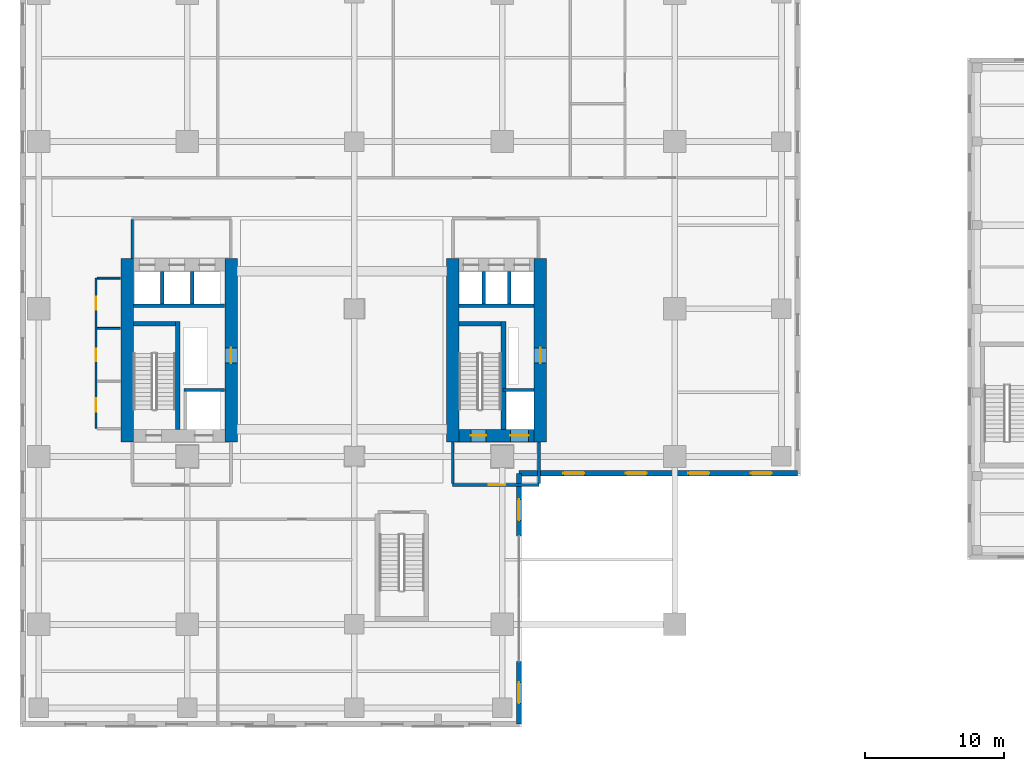
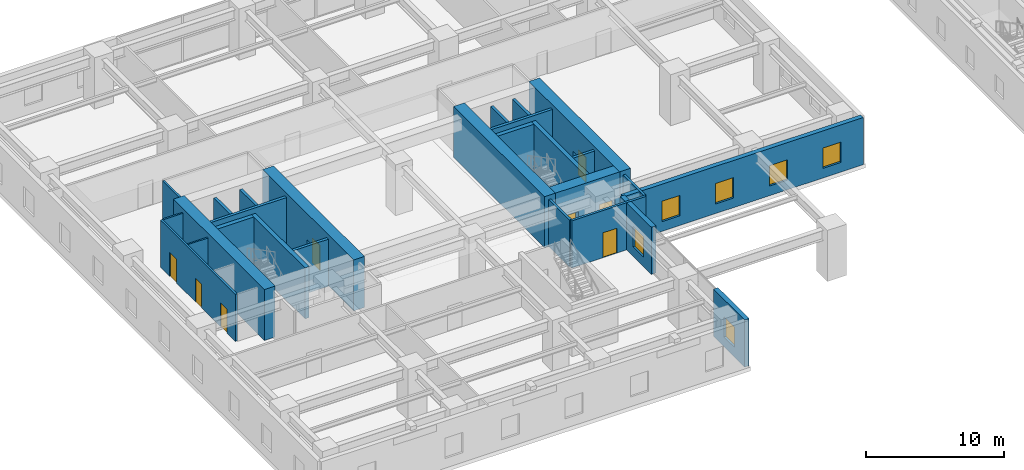
# One storey, part 19 of 28: 27 walls, 8 doors, 6 windows, 14 openings.
"""IFC4 building model written with IfcOpenShell, lengths in metres."""

from ifc_helpers import new_model, si_unit, direction, frame, frame_2d, origin, place, context, subcontext, project, spatial, rectangle, extrude, source, transform, mapped, material, layer, layer_set, type_object, element, fill, save


model = new_model("IFC4")

# Units and contexts
model_context = context("Model", 3, precision=1e-05, world=origin(), true_north=direction((0.0, 1.0)))
body_context = subcontext(model_context, "Body", "Model", "MODEL_VIEW")
ifc_project = project(units=[si_unit("LENGTHUNIT", "METRE"), si_unit("AREAUNIT", "SQUARE_METRE"), si_unit("VOLUMEUNIT", "CUBIC_METRE"), si_unit("PLANEANGLEUNIT", "RADIAN"), si_unit("MASSUNIT", "GRAM", prefix="KILO")], contexts=[model_context])

# Site, building, storey
site_placement = place(None, origin())
site = spatial("IfcSite", under=ifc_project, at=site_placement, CompositionType="ELEMENT")
building_placement = place(site_placement, origin())
building = spatial("IfcBuilding", under=site, at=building_placement, Name="Khoralis Quay Care Tower", CompositionType="ELEMENT")
storey_placement = place(building_placement, frame((0.0, 0.0, 9.0)))
storey = spatial("IfcBuildingStorey", under=building, at=storey_placement, Name="L02", CompositionType="ELEMENT", Elevation=9.0)

# Wall, opening, door
ifc_material_1 = material(Name="Gypsum plasterboard on acoustic metal stud")
ifc_layer_1 = layer(ifc_material_1, 0.199951171875)
ifc_layer_set_1 = layer_set([ifc_layer_1], Name="Gypsum plasterboard on acoustic metal stud")
wall_type_1 = type_object("IfcWallType", Name="WL-COMP-200", PredefinedType="PARTITIONING", material=ifc_layer_set_1)
wall_1_placement = place(storey_placement, frame((31.050048828125, 11.35009765625, 0.0), z_axis=(0.0, 0.0, 1.0), x_axis=(1.0, 0.0, 0.0)))
wall_1 = element("IfcWall", 1, at=wall_1_placement, inside=storey, type_object=wall_type_1, Name="L02 East Firefighting Lobby South Wall", PredefinedType="PARTITIONING", context=body_context, shape_type="SweptSolid", body=[
    extrude(rectangle(XDim=6.199951171875, YDim=0.199951171875, at=frame_2d((3.10009765625, 0.0))), origin(), (0.0, 0.0, 1.0), 4.159912109375),
])
opening_1_placement = place(wall_1_placement, frame((2.585693359375, 0.0, 0.0)))
opening_1 = element("IfcOpeningElement", 2, at=opening_1_placement, cuts=wall_1, Name="Opening FD1", PredefinedType="OPENING", context=body_context, shape_type="SweptSolid", body=[
    extrude(rectangle(XDim=1.199951171875, YDim=2.199951171875, at=frame_2d((0.60009765625, 1.10009765625))), frame((0.0, 0.10986328125, 0.0), z_axis=(0.0, -1.0, 0.0), x_axis=(1.0, 0.0, 0.0)), (0.0, 0.0, 1.0), 0.219970703125),
])
ifc_material_2 = material(Name="Fire-rated painted steel", Category="steel")
door_type_1 = type_object("IfcDoorType", Name="DR-FFL-1200X2200", OperationType="NOTDEFINED", PredefinedType="DOOR", material=ifc_material_2)
shared_shape_1 = source(origin(), body_context, "Body", "SweptSolid", [
    extrude(rectangle(XDim=1.199951171875, YDim=2.199951171875, at=frame_2d((0.60009765625, 1.10009765625))), frame((0.0, 0.02490234375, 0.0), z_axis=(0.0, -1.0, 0.0), x_axis=(1.0, 0.0, 0.0)), (0.0, 0.0, 1.0), 0.050048828125),
])
door_1_placement = place(opening_1_placement, origin())
door_1 = element("IfcDoor", 3, at=door_1_placement, inside=storey, type_object=door_type_1, Name="L02 East Firefighting Lobby Fire Door", OperationType="SINGLE_SWING_LEFT", OverallHeight=2.199951171875, OverallWidth=1.199951171875, PredefinedType="DOOR", context=body_context, shape_type="MappedRepresentation", body=[
    mapped(shared_shape_1, transform((0.0, 0.0, 0.0), scale=1.0)),
])
fill(opening_1, door_1)

# Walls
for number, where, z_axis, x_axis, name in (
    (4, (31.050048828125, 11.445068359375, 0.0), (0.0, 0.0, 1.0), (0.0, 1.0, 0.0), "L02 East Firefighting Lobby West Wall"),
    (5, (37.25, 11.445068359375, 0.0), (0.0, 0.0, 1.0), (0.0, 1.0, 0.0), "L02 East Firefighting Lobby East Wall"),
):
    element("IfcWall", number, at=place(storey_placement, frame(where, z_axis=z_axis, x_axis=x_axis)), inside=storey, type_object=wall_type_1, Name=name, PredefinedType="PARTITIONING", context=body_context, shape_type="SweptSolid", body=[
        extrude(rectangle(XDim=2.98486328125, YDim=0.199951171875, at=frame_2d((1.492431640625, 0.0))), origin(), (0.0, 0.0, 1.0), 4.159912109375),
    ])
ifc_material_3 = material(Name="Concrete C80/95", Category="concrete")
ifc_layer_2 = layer(ifc_material_3, 0.89990234375)
ifc_layer_set_2 = layer_set([ifc_layer_2], Name="Concrete C80/95")
wall_type_2 = type_object("IfcWallType", Name="WL-CORE-900", PredefinedType="SHEAR", material=ifc_layer_set_2)
wall_2_placement = place(storey_placement, frame((7.699951171875, 14.449951171875, 0.0), z_axis=(0.0, 0.0, 1.0), x_axis=(0.0, 1.0, 0.0)))
element("IfcWall", 6, at=wall_2_placement, inside=storey, type_object=wall_type_2, Name="L02 WCORE West Shear Wall", PredefinedType="SHEAR", context=body_context, shape_type="SweptSolid", body=[
    extrude(rectangle(XDim=13.150146484375, YDim=0.89990234375, at=frame_2d((6.5751953125, 0.0))), origin(), (0.0, 0.0, 1.0), 4.5),
])

# Wall, opening, door
wall_3_placement = place(storey_placement, frame((15.14990234375, 14.449951171875, 0.0), z_axis=(0.0, 0.0, 1.0), x_axis=(0.0, 1.0, 0.0)))
wall_3 = element("IfcWall", 7, at=wall_3_placement, inside=storey, type_object=wall_type_2, Name="L02 WCORE East Shear Wall", PredefinedType="SHEAR", context=body_context, shape_type="SweptSolid", body=[
    extrude(rectangle(XDim=13.150146484375, YDim=0.89990234375, at=frame_2d((6.5751953125, 0.0))), origin(), (0.0, 0.0, 1.0), 4.5),
])
opening_2_placement = place(wall_3_placement, frame((5.64990234375, 0.0, 0.0)))
opening_2 = element("IfcOpeningElement", 8, at=opening_2_placement, cuts=wall_3, Name="Opening SD1", PredefinedType="OPENING", context=body_context, shape_type="SweptSolid", body=[
    extrude(rectangle(XDim=1.10009765625, YDim=2.199951171875, at=frame_2d((0.550048828125, 1.10009765625))), frame((0.0, 0.4599609375, 0.0), z_axis=(0.0, -1.0, 0.0), x_axis=(1.0, 0.0, 0.0)), (0.0, 0.0, 1.0), 0.919921875),
])
door_type_2 = type_object("IfcDoorType", Name="DR-STAIR-1100X2200", OperationType="NOTDEFINED", PredefinedType="DOOR", material=ifc_material_2)
shared_shape_2 = source(origin(), body_context, "Body", "SweptSolid", [
    extrude(rectangle(XDim=1.10009765625, YDim=2.199951171875, at=frame_2d((0.550048828125, 1.10009765625))), frame((0.0, 0.02490234375, 0.0), z_axis=(0.0, -1.0, 0.0), x_axis=(1.0, 0.0, 0.0)), (0.0, 0.0, 1.0), 0.050048828125),
])
door_2_placement = place(opening_2_placement, origin())
door_2 = element("IfcDoor", 9, at=door_2_placement, inside=storey, type_object=door_type_2, Name="L02 West MEP Riser Door", OperationType="SINGLE_SWING_RIGHT", OverallHeight=2.199951171875, OverallWidth=1.10009765625, PredefinedType="DOOR", context=body_context, shape_type="MappedRepresentation", body=[
    mapped(shared_shape_2, transform((0.0, 0.0, 0.0), scale=1.0)),
])
fill(opening_2, door_2)

# Wall
wall_4_placement = place(storey_placement, frame((31.070068359375, 14.449951171875, 0.0), z_axis=(0.0, 0.0, 1.0), x_axis=(0.0, 1.0, 0.0)))
element("IfcWall", 10, at=wall_4_placement, inside=storey, type_object=wall_type_2, Name="L02 ECORE West Shear Wall", PredefinedType="SHEAR", context=body_context, shape_type="SweptSolid", body=[
    extrude(rectangle(XDim=13.150146484375, YDim=0.89990234375, at=frame_2d((6.5751953125, 0.0))), origin(), (0.0, 0.0, 1.0), 4.5),
])

# Wall, opening, door
wall_5_placement = place(storey_placement, frame((37.35009765625, 14.449951171875, 0.0), z_axis=(0.0, 0.0, 1.0), x_axis=(0.0, 1.0, 0.0)))
wall_5 = element("IfcWall", 11, at=wall_5_placement, inside=storey, type_object=wall_type_2, Name="L02 ECORE East Shear Wall", PredefinedType="SHEAR", context=body_context, shape_type="SweptSolid", body=[
    extrude(rectangle(XDim=13.150146484375, YDim=0.89990234375, at=frame_2d((6.5751953125, 0.0))), origin(), (0.0, 0.0, 1.0), 4.5),
])
opening_3_placement = place(wall_5_placement, frame((5.64990234375, 0.0, 0.0)))
opening_3 = element("IfcOpeningElement", 12, at=opening_3_placement, cuts=wall_5, Name="Opening SD1", PredefinedType="OPENING", context=body_context, shape_type="SweptSolid", body=[
    extrude(rectangle(XDim=1.10009765625, YDim=2.199951171875, at=frame_2d((0.550048828125, 1.10009765625))), frame((0.0, 0.4599609375, 0.0), z_axis=(0.0, -1.0, 0.0), x_axis=(1.0, 0.0, 0.0)), (0.0, 0.0, 1.0), 0.919921875),
])
door_3_placement = place(opening_3_placement, frame((1.10009765625, 0.0, 0.0), z_axis=(0.0, 0.0, 1.0), x_axis=(-1.0, 0.0, 0.0)))
door_3 = element("IfcDoor", 13, at=door_3_placement, inside=storey, type_object=door_type_2, Name="L02 East MEP Riser Door", OperationType="SINGLE_SWING_LEFT", OverallHeight=2.199951171875, OverallWidth=1.10009765625, PredefinedType="DOOR", context=body_context, shape_type="MappedRepresentation", body=[
    mapped(shared_shape_2, transform((0.0, 0.0, 0.0), scale=1.0)),
])
fill(opening_3, door_3)

# Wall, openings, doors
wall_6_placement = place(storey_placement, frame((31.52001953125, 14.89990234375, 0.0), z_axis=(0.0, 0.0, 1.0), x_axis=(1.0, 0.0, 0.0)))
wall_6 = element("IfcWall", 14, at=wall_6_placement, inside=storey, type_object=wall_type_2, Name="L02 ECORE South Shear Wall", PredefinedType="SHEAR", context=body_context, shape_type="SweptSolid", body=[
    extrude(rectangle(XDim=5.3798828125, YDim=0.89990234375, at=frame_2d((2.68994140625, 0.0))), origin(), (0.0, 0.0, 1.0), 4.5),
])
opening_4_placement = place(wall_6_placement, frame((0.830078125, 0.0, 0.0)))
opening_4 = element("IfcOpeningElement", 15, at=opening_4_placement, cuts=wall_6, Name="Opening SD1", PredefinedType="OPENING", context=body_context, shape_type="SweptSolid", body=[
    extrude(rectangle(XDim=1.10009765625, YDim=2.199951171875, at=frame_2d((0.550048828125, 1.10009765625))), frame((0.0, 0.4599609375, 0.0), z_axis=(0.0, -1.0, 0.0), x_axis=(1.0, 0.0, 0.0)), (0.0, 0.0, 1.0), 0.919921875),
])
opening_5_placement = place(wall_6_placement, frame((3.679931640625, 0.0, 0.0)))
opening_5 = element("IfcOpeningElement", 16, at=opening_5_placement, cuts=wall_6, Name="Opening LD2", PredefinedType="OPENING", context=body_context, shape_type="SweptSolid", body=[
    extrude(rectangle(XDim=1.300048828125, YDim=2.199951171875, at=frame_2d((0.64990234375, 1.10009765625))), frame((0.0, 0.4599609375, 0.0), z_axis=(0.0, -1.0, 0.0), x_axis=(1.0, 0.0, 0.0)), (0.0, 0.0, 1.0), 0.919921875),
])
door_4_placement = place(opening_4_placement, origin())
door_4 = element("IfcDoor", 17, at=door_4_placement, inside=storey, type_object=door_type_2, Name="L02 Stair ST-T2 Fire Door", OperationType="SINGLE_SWING_LEFT", OverallHeight=2.199951171875, OverallWidth=1.10009765625, PredefinedType="DOOR", context=body_context, shape_type="MappedRepresentation", body=[
    mapped(shared_shape_2, transform((0.0, 0.0, 0.0), scale=1.0)),
])
fill(opening_4, door_4)
ifc_material_4 = material(Name="Brushed stainless steel", Category="steel")
door_type_3 = type_object("IfcDoorType", Name="DR-LIFT-1300X2200", OperationType="SLIDING_TO_RIGHT", PredefinedType="DOOR", material=ifc_material_4)
shared_shape_3 = source(origin(), body_context, "Body", "SweptSolid", [
    extrude(rectangle(XDim=1.300048828125, YDim=2.199951171875, at=frame_2d((0.64990234375, 1.10009765625))), frame((0.0, 0.02490234375, 0.0), z_axis=(0.0, -1.0, 0.0), x_axis=(1.0, 0.0, 0.0)), (0.0, 0.0, 1.0), 0.050048828125),
])
door_5_placement = place(opening_5_placement, origin())
door_5 = element("IfcDoor", 18, at=door_5_placement, inside=storey, type_object=door_type_3, Name="L02 Firefighting Lift FFL-2 Landing Door", OperationType="SLIDING_TO_RIGHT", OverallHeight=2.199951171875, OverallWidth=1.300048828125, PredefinedType="DOOR", context=body_context, shape_type="MappedRepresentation", body=[
    mapped(shared_shape_3, transform((0.0, 0.0, 0.0), scale=1.0)),
])
fill(opening_5, door_5)

# Wall
ifc_layer_3 = layer(ifc_material_1, 0.1650390625)
ifc_layer_set_3 = layer_set([ifc_layer_3], Name="Gypsum plasterboard on acoustic metal stud")
wall_type_3 = type_object("IfcWallType", Name="WL-CORR-165", PredefinedType="PARTITIONING", material=ifc_layer_set_3)
wall_7_placement = place(storey_placement, frame((8.050048828125, 27.6201171875, 0.0), z_axis=(0.0, 0.0, 1.0), x_axis=(0.0, 1.0, 0.0)))
element("IfcWall", 19, at=wall_7_placement, inside=storey, type_object=wall_type_3, Name="L02 West Lift Lobby West Wall", PredefinedType="PARTITIONING", context=body_context, shape_type="SweptSolid", body=[
    extrude(rectangle(XDim=2.802490234375, YDim=0.1650390625, at=frame_2d((1.4013671875, 0.0))), origin(), (0.0, 0.0, 1.0), 4.159912109375),
])

# Wall, openings, doors
wall_8_placement = place(storey_placement, frame((5.449951171875, 15.39990234375, 0.0), z_axis=(0.0, 0.0, 1.0), x_axis=(0.0, 1.0, 0.0)))
wall_8 = element("IfcWall", 20, at=wall_8_placement, inside=storey, type_object=wall_type_3, Name="L02 West Core Service Flank Wall", PredefinedType="PARTITIONING", context=body_context, shape_type="SweptSolid", body=[
    extrude(rectangle(XDim=10.800048828125, YDim=0.1650390625, at=frame_2d((5.39990234375, 0.0))), origin(), (0.0, 0.0, 1.0), 4.159912109375),
])
opening_6_placement = place(wall_8_placement, frame((1.22509765625, 0.0, 0.0)))
opening_6 = element("IfcOpeningElement", 21, at=opening_6_placement, cuts=wall_8, Name="Opening ID1", PredefinedType="OPENING", context=body_context, shape_type="SweptSolid", body=[
    extrude(rectangle(XDim=0.949951171875, YDim=2.10009765625, at=frame_2d((0.47509765625, 1.050048828125))), frame((0.0, 0.092529296875, 0.0), z_axis=(0.0, -1.0, 0.0), x_axis=(1.0, 0.0, 0.0)), (0.0, 0.0, 1.0), 0.18505859375),
])
opening_7_placement = place(wall_8_placement, frame((4.85009765625, 0.0, 0.0)))
opening_7 = element("IfcOpeningElement", 22, at=opening_7_placement, cuts=wall_8, Name="Opening WD1", PredefinedType="OPENING", context=body_context, shape_type="SweptSolid", body=[
    extrude(rectangle(XDim=0.89990234375, YDim=2.10009765625, at=frame_2d((0.449951171875, 1.050048828125))), frame((0.0, 0.092529296875, 0.0), z_axis=(0.0, -1.0, 0.0), x_axis=(1.0, 0.0, 0.0)), (0.0, 0.0, 1.0), 0.18505859375),
])
opening_8_placement = place(wall_8_placement, frame((8.52490234375, 0.0, 0.0)))
opening_8 = element("IfcOpeningElement", 23, at=opening_8_placement, cuts=wall_8, Name="Opening ID1", PredefinedType="OPENING", context=body_context, shape_type="SweptSolid", body=[
    extrude(rectangle(XDim=0.949951171875, YDim=2.10009765625, at=frame_2d((0.47509765625, 1.050048828125))), frame((0.0, 0.092529296875, 0.0), z_axis=(0.0, -1.0, 0.0), x_axis=(1.0, 0.0, 0.0)), (0.0, 0.0, 1.0), 0.18505859375),
])
ifc_material_5 = material(Name="Acoustic hardwood timber", Category="wood")
door_type_4 = type_object("IfcDoorType", Name="DR-BATH-900X2100", OperationType="NOTDEFINED", PredefinedType="DOOR", material=ifc_material_5)
shared_shape_4 = source(origin(), body_context, "Body", "SweptSolid", [
    extrude(rectangle(XDim=0.89990234375, YDim=2.10009765625, at=frame_2d((0.449951171875, 1.050048828125))), frame((0.0, 0.02490234375, 0.0), z_axis=(0.0, -1.0, 0.0), x_axis=(1.0, 0.0, 0.0)), (0.0, 0.0, 1.0), 0.050048828125),
])
door_6_placement = place(opening_7_placement, frame((0.89990234375, 0.0, 0.0), z_axis=(0.0, 0.0, 1.0), x_axis=(-1.0, 0.0, 0.0)))
door_6 = element("IfcDoor", 24, at=door_6_placement, inside=storey, type_object=door_type_4, Name="L02 Public Accessible WC Door", OperationType="SINGLE_SWING_RIGHT", OverallHeight=2.10009765625, OverallWidth=0.89990234375, PredefinedType="DOOR", context=body_context, shape_type="MappedRepresentation", body=[
    mapped(shared_shape_4, transform((0.0, 0.0, 0.0), scale=1.0)),
])
fill(opening_7, door_6)
door_type_5 = type_object("IfcDoorType", Name="DR-ROOM-950X2100", OperationType="NOTDEFINED", PredefinedType="DOOR", material=ifc_material_5)
shared_shape_5 = source(origin(), body_context, "Body", "SweptSolid", [
    extrude(rectangle(XDim=0.949951171875, YDim=2.10009765625, at=frame_2d((0.47509765625, 1.050048828125))), frame((0.0, 0.02490234375, 0.0), z_axis=(0.0, -1.0, 0.0), x_axis=(1.0, 0.0, 0.0)), (0.0, 0.0, 1.0), 0.050048828125),
])
door_7_placement = place(opening_6_placement, frame((0.949951171875, 0.0, 0.0), z_axis=(0.0, 0.0, 1.0), x_axis=(-1.0, 0.0, 0.0)))
door_7 = element("IfcDoor", 25, at=door_7_placement, inside=storey, type_object=door_type_5, Name="L02 Clean Utility Store Door", OperationType="SINGLE_SWING_LEFT", OverallHeight=2.10009765625, OverallWidth=0.949951171875, PredefinedType="DOOR", context=body_context, shape_type="MappedRepresentation", body=[
    mapped(shared_shape_5, transform((0.0, 0.0, 0.0), scale=1.0)),
])
fill(opening_6, door_7)
door_8_placement = place(opening_8_placement, frame((0.949951171875, 0.0, 0.0), z_axis=(0.0, 0.0, 1.0), x_axis=(-1.0, 0.0, 0.0)))
door_8 = element("IfcDoor", 26, at=door_8_placement, inside=storey, type_object=door_type_5, Name="L02 Electrical Switchboard Room Door", OperationType="SINGLE_SWING_LEFT", OverallHeight=2.10009765625, OverallWidth=0.949951171875, PredefinedType="DOOR", context=body_context, shape_type="MappedRepresentation", body=[
    mapped(shared_shape_5, transform((0.0, 0.0, 0.0), scale=1.0)),
])
fill(opening_8, door_8)

# Wall, opening, window
ifc_material_6 = material(Name="Precast concrete C45/55", Category="concrete")
ifc_layer_4 = layer(ifc_material_6, 0.3798828125)
ifc_layer_set_4 = layer_set([ifc_layer_4], Name="Precast concrete C45/55")
wall_type_4 = type_object("IfcWallType", Name="WL-EXT-POD-380", PredefinedType="SOLIDWALL", material=ifc_layer_set_4)
wall_9_placement = place(storey_placement, frame((35.81005859375, -5.81005859375, 0.0), z_axis=(0.0, 0.0, 1.0), x_axis=(0.0, 1.0, 0.0)))
wall_9 = element("IfcWall", 27, at=wall_9_placement, inside=storey, type_object=wall_type_4, Name="L02 External Facade Wall WL-POD-L02-E1A", PredefinedType="SOLIDWALL", context=body_context, shape_type="SweptSolid", body=[
    extrude(rectangle(XDim=4.5, YDim=0.3798828125, at=frame_2d((2.25, 0.0))), origin(), (0.0, 0.0, 1.0), 4.159912109375),
])
opening_9_placement = place(wall_9_placement, frame((1.5, 0.0, 0.85009765625)))
opening_9 = element("IfcOpeningElement", 28, at=opening_9_placement, cuts=wall_9, Name="Opening W3", PredefinedType="OPENING", context=body_context, shape_type="SweptSolid", body=[
    extrude(rectangle(XDim=1.5, YDim=1.800048828125, at=frame_2d((0.75, 0.89990234375))), frame((0.0, 0.199951171875, 0.0), z_axis=(0.0, -1.0, 0.0), x_axis=(1.0, 0.0, 0.0)), (0.0, 0.0, 1.0), 0.39990234375),
])
ifc_material_7 = material(Name="Low-E solar-control double glazing", Category="glass")
window_type = type_object("IfcWindowType", Name="WN-CLIN-1500X1800", PartitioningType="SINGLE_PANEL", PredefinedType="WINDOW", material=ifc_material_7)
shared_shape_6 = source(origin(), body_context, "Body", "SweptSolid", [
    extrude(rectangle(XDim=1.5, YDim=1.800048828125, at=frame_2d((0.75, 0.89990234375))), frame((0.0, 0.030029296875, 0.0), z_axis=(0.0, -1.0, 0.0), x_axis=(1.0, 0.0, 0.0)), (0.0, 0.0, 1.0), 0.06005859375),
])
window_1_placement = place(opening_9_placement, origin())
window_1 = element("IfcWindow", 29, at=window_1_placement, inside=storey, type_object=window_type, Name="WN-POD-L02-1A Facade Window 01", OverallHeight=1.800048828125, OverallWidth=1.5, PartitioningType="SINGLE_PANEL", PredefinedType="WINDOW", context=body_context, shape_type="MappedRepresentation", body=[
    mapped(shared_shape_6, transform((0.0, 0.0, 0.0), scale=1.0)),
])
fill(opening_9, window_1)

wall_10_placement = place(storey_placement, frame((35.81005859375, 7.68994140625, 0.0), z_axis=(0.0, 0.0, 1.0), x_axis=(0.0, 1.0, 0.0)))
wall_10 = element("IfcWall", 30, at=wall_10_placement, inside=storey, type_object=wall_type_4, Name="L02 External Facade Wall WL-POD-L02-E1B", PredefinedType="SOLIDWALL", context=body_context, shape_type="SweptSolid", body=[
    extrude(rectangle(XDim=4.5, YDim=0.3798828125, at=frame_2d((2.25, 0.0))), origin(), (0.0, 0.0, 1.0), 4.159912109375),
])
opening_10_placement = place(wall_10_placement, frame((1.1298828125, 0.0, 0.85009765625)))
opening_10 = element("IfcOpeningElement", 31, at=opening_10_placement, cuts=wall_10, Name="Opening W3", PredefinedType="OPENING", context=body_context, shape_type="SweptSolid", body=[
    extrude(rectangle(XDim=1.5, YDim=1.800048828125, at=frame_2d((0.75, 0.89990234375))), frame((0.0, 0.199951171875, 0.0), z_axis=(0.0, -1.0, 0.0), x_axis=(1.0, 0.0, 0.0)), (0.0, 0.0, 1.0), 0.39990234375),
])
window_2_placement = place(opening_10_placement, origin())
window_2 = element("IfcWindow", 32, at=window_2_placement, inside=storey, type_object=window_type, Name="WN-POD-L02-1B Facade Window 01", OverallHeight=1.800048828125, OverallWidth=1.5, PartitioningType="SINGLE_PANEL", PredefinedType="WINDOW", context=body_context, shape_type="MappedRepresentation", body=[
    mapped(shared_shape_6, transform((0.0, 0.0, 0.0), scale=1.0)),
])
fill(opening_10, window_2)

# Wall, openings, windows
wall_11_placement = place(storey_placement, frame((35.81005859375, 12.18994140625, 0.0), z_axis=(0.0, 0.0, 1.0), x_axis=(1.0, 0.0, 0.0)))
wall_11 = element("IfcWall", 33, at=wall_11_placement, inside=storey, type_object=wall_type_4, Name="L02 External Facade Wall WL-POD-L02-E2", PredefinedType="SOLIDWALL", context=body_context, shape_type="SweptSolid", body=[
    extrude(rectangle(XDim=20.0, YDim=0.3798828125, at=frame_2d((10.0, 0.0))), origin(), (0.0, 0.0, 1.0), 4.159912109375),
])
opening_11_placement = place(wall_11_placement, frame((3.1923828125, 0.0, 0.85009765625)))
opening_11 = element("IfcOpeningElement", 34, at=opening_11_placement, cuts=wall_11, Name="Opening W3", PredefinedType="OPENING", context=body_context, shape_type="SweptSolid", body=[
    extrude(rectangle(XDim=1.5, YDim=1.800048828125, at=frame_2d((0.75, 0.89990234375))), frame((0.0, 0.199951171875, 0.0), z_axis=(0.0, -1.0, 0.0), x_axis=(1.0, 0.0, 0.0)), (0.0, 0.0, 1.0), 0.39990234375),
])
opening_12_placement = place(wall_11_placement, frame((7.677490234375, 0.0, 0.85009765625)))
opening_12 = element("IfcOpeningElement", 35, at=opening_12_placement, cuts=wall_11, Name="Opening W3", PredefinedType="OPENING", context=body_context, shape_type="SweptSolid", body=[
    extrude(rectangle(XDim=1.5, YDim=1.800048828125, at=frame_2d((0.75, 0.89990234375))), frame((0.0, 0.199951171875, 0.0), z_axis=(0.0, -1.0, 0.0), x_axis=(1.0, 0.0, 0.0)), (0.0, 0.0, 1.0), 0.39990234375),
])
opening_13_placement = place(wall_11_placement, frame((12.16259765625, 0.0, 0.85009765625)))
opening_13 = element("IfcOpeningElement", 36, at=opening_13_placement, cuts=wall_11, Name="Opening W3", PredefinedType="OPENING", context=body_context, shape_type="SweptSolid", body=[
    extrude(rectangle(XDim=1.5, YDim=1.800048828125, at=frame_2d((0.75, 0.89990234375))), frame((0.0, 0.199951171875, 0.0), z_axis=(0.0, -1.0, 0.0), x_axis=(1.0, 0.0, 0.0)), (0.0, 0.0, 1.0), 0.39990234375),
])
opening_14_placement = place(wall_11_placement, frame((16.6474609375, 0.0, 0.85009765625)))
opening_14 = element("IfcOpeningElement", 37, at=opening_14_placement, cuts=wall_11, Name="Opening W3", PredefinedType="OPENING", context=body_context, shape_type="SweptSolid", body=[
    extrude(rectangle(XDim=1.5, YDim=1.800048828125, at=frame_2d((0.75, 0.89990234375))), frame((0.0, 0.199951171875, 0.0), z_axis=(0.0, -1.0, 0.0), x_axis=(1.0, 0.0, 0.0)), (0.0, 0.0, 1.0), 0.39990234375),
])
window_3_placement = place(opening_11_placement, origin())
window_3 = element("IfcWindow", 38, at=window_3_placement, inside=storey, type_object=window_type, Name="WN-POD-L02-E2 Facade Window 01", OverallHeight=1.800048828125, OverallWidth=1.5, PartitioningType="SINGLE_PANEL", PredefinedType="WINDOW", context=body_context, shape_type="MappedRepresentation", body=[
    mapped(shared_shape_6, transform((0.0, 0.0, 0.0), scale=1.0)),
])
fill(opening_11, window_3)
window_4_placement = place(opening_12_placement, origin())
window_4 = element("IfcWindow", 39, at=window_4_placement, inside=storey, type_object=window_type, Name="WN-POD-L02-E2 Facade Window 02", OverallHeight=1.800048828125, OverallWidth=1.5, PartitioningType="SINGLE_PANEL", PredefinedType="WINDOW", context=body_context, shape_type="MappedRepresentation", body=[
    mapped(shared_shape_6, transform((0.0, 0.0, 0.0), scale=1.0)),
])
fill(opening_12, window_4)
window_5_placement = place(opening_13_placement, origin())
window_5 = element("IfcWindow", 40, at=window_5_placement, inside=storey, type_object=window_type, Name="WN-POD-L02-E2 Facade Window 03", OverallHeight=1.800048828125, OverallWidth=1.5, PartitioningType="SINGLE_PANEL", PredefinedType="WINDOW", context=body_context, shape_type="MappedRepresentation", body=[
    mapped(shared_shape_6, transform((0.0, 0.0, 0.0), scale=1.0)),
])
fill(opening_13, window_5)
window_6_placement = place(opening_14_placement, origin())
window_6 = element("IfcWindow", 41, at=window_6_placement, inside=storey, type_object=window_type, Name="WN-POD-L02-E2 Facade Window 04", OverallHeight=1.800048828125, OverallWidth=1.5, PartitioningType="SINGLE_PANEL", PredefinedType="WINDOW", context=body_context, shape_type="MappedRepresentation", body=[
    mapped(shared_shape_6, transform((0.0, 0.0, 0.0), scale=1.0)),
])
fill(opening_14, window_6)

# Walls
ifc_material_8 = material(Name="Concrete C40/50", Category="concrete")
ifc_layer_5 = layer(ifc_material_8, 0.35009765625)
ifc_layer_set_5 = layer_set([ifc_layer_5], Name="Concrete C40/50")
wall_type_5 = type_object("IfcWallType", Name="WL-SC-CORE-350", PredefinedType="SHEAR", material=ifc_layer_set_5)
wall_12_placement = place(storey_placement, frame((11.324951171875, 15.35009765625, 0.0), z_axis=(0.0, 0.0, 1.0), x_axis=(0.0, 1.0, 0.0)))
element("IfcWall", 42, at=wall_12_placement, inside=storey, type_object=wall_type_5, Name="L02 Stair ST-T1 Shear Baffle Wall East", PredefinedType="SHEAR", context=body_context, shape_type="SweptSolid", body=[
    extrude(rectangle(XDim=7.75, YDim=0.35009765625, at=frame_2d((3.875, 0.0))), origin(), (0.0, 0.0, 1.0), 4.5),
])
wall_13_placement = place(storey_placement, frame((8.14990234375, 22.925048828125, 0.0), z_axis=(0.0, 0.0, 1.0), x_axis=(1.0, 0.0, 0.0)))
element("IfcWall", 43, at=wall_13_placement, inside=storey, type_object=wall_type_5, Name="L02 Stair ST-T1 Shear Baffle Wall North", PredefinedType="SHEAR", context=body_context, shape_type="SweptSolid", body=[
    extrude(rectangle(XDim=3.0, YDim=0.35009765625, at=frame_2d((1.5, 0.0))), origin(), (0.0, 0.0, 1.0), 4.5),
])
wall_14_placement = place(storey_placement, frame((34.695068359375, 15.35009765625, 0.0), z_axis=(0.0, 0.0, 1.0), x_axis=(0.0, 1.0, 0.0)))
element("IfcWall", 44, at=wall_14_placement, inside=storey, type_object=wall_type_5, Name="L02 Stair ST-T2 Shear Baffle Wall East", PredefinedType="SHEAR", context=body_context, shape_type="SweptSolid", body=[
    extrude(rectangle(XDim=7.75, YDim=0.35009765625, at=frame_2d((3.875, 0.0))), origin(), (0.0, 0.0, 1.0), 4.5),
])
wall_15_placement = place(storey_placement, frame((31.52001953125, 22.925048828125, 0.0), z_axis=(0.0, 0.0, 1.0), x_axis=(1.0, 0.0, 0.0)))
element("IfcWall", 45, at=wall_15_placement, inside=storey, type_object=wall_type_5, Name="L02 Stair ST-T2 Shear Baffle Wall North", PredefinedType="SHEAR", context=body_context, shape_type="SweptSolid", body=[
    extrude(rectangle(XDim=3.0, YDim=0.35009765625, at=frame_2d((1.5, 0.0))), origin(), (0.0, 0.0, 1.0), 4.5),
])
ifc_layer_6 = layer(ifc_material_1, 0.239990234375)
ifc_layer_set_6 = layer_set([ifc_layer_6], Name="Gypsum plasterboard on acoustic metal stud")
wall_type_6 = type_object("IfcWallType", Name="WL-SHAFT-240", PredefinedType="PARTITIONING", material=ifc_layer_set_6)
wall_16_placement = place(storey_placement, frame((11.760009765625, 18.169921875, 0.0), z_axis=(0.0, 0.0, 1.0), x_axis=(1.0, 0.0, 0.0)))
element("IfcWall", 46, at=wall_16_placement, inside=storey, type_object=wall_type_6, Name="L02 FFL-1 Shaft Wall North", PredefinedType="PARTITIONING", context=body_context, shape_type="SweptSolid", body=[
    extrude(rectangle(XDim=2.919921875, YDim=0.239990234375, at=frame_2d((1.4599609375, 0.0))), origin(), (0.0, 0.0, 1.0), 4.159912109375),
])
wall_17_placement = place(storey_placement, frame((34.679931640625, 18.169921875, 0.0), z_axis=(0.0, 0.0, 1.0), x_axis=(1.0, 0.0, 0.0)))
element("IfcWall", 47, at=wall_17_placement, inside=storey, type_object=wall_type_6, Name="L02 FFL-2 Shaft Wall North", PredefinedType="PARTITIONING", context=body_context, shape_type="SweptSolid", body=[
    extrude(rectangle(XDim=2.199951171875, YDim=0.239990234375, at=frame_2d((1.10009765625, 0.0))), origin(), (0.0, 0.0, 1.0), 4.159912109375),
])
wall_18_placement = place(storey_placement, frame((8.14990234375, 24.22998046875, 0.0), z_axis=(0.0, 0.0, 1.0), x_axis=(1.0, 0.0, 0.0)))
element("IfcWall", 48, at=wall_18_placement, inside=storey, type_object=wall_type_6, Name="L02 West Passenger Shaft South Wall", PredefinedType="PARTITIONING", context=body_context, shape_type="SweptSolid", body=[
    extrude(rectangle(XDim=6.530029296875, YDim=0.239990234375, at=frame_2d((3.26513671875, 0.0))), origin(), (0.0, 0.0, 1.0), 4.159912109375),
])
for number, where, z_axis, x_axis, name in (
    (49, (10.199951171875, 24.344970703125, 0.0), (0.0, 0.0, 1.0), (0.0, 1.0, 0.0), "L02 West Shaft Divider 1"),
    (50, (12.35009765625, 24.344970703125, 0.0), (0.0, 0.0, 1.0), (0.0, 1.0, 0.0), "L02 West Shaft Divider 2"),
):
    element("IfcWall", number, at=place(storey_placement, frame(where, z_axis=z_axis, x_axis=x_axis)), inside=storey, type_object=wall_type_6, Name=name, PredefinedType="PARTITIONING", context=body_context, shape_type="SweptSolid", body=[
        extrude(rectangle(XDim=2.3349609375, YDim=0.239990234375, at=frame_2d((1.16748046875, 0.0))), origin(), (0.0, 0.0, 1.0), 4.159912109375),
    ])
wall_19_placement = place(storey_placement, frame((31.52001953125, 24.22998046875, 0.0), z_axis=(0.0, 0.0, 1.0), x_axis=(1.0, 0.0, 0.0)))
element("IfcWall", 51, at=wall_19_placement, inside=storey, type_object=wall_type_6, Name="L02 East Passenger Shaft South Wall", PredefinedType="PARTITIONING", context=body_context, shape_type="SweptSolid", body=[
    extrude(rectangle(XDim=5.35986328125, YDim=0.239990234375, at=frame_2d((2.679931640625, 0.0))), origin(), (0.0, 0.0, 1.0), 4.159912109375),
])
for number, where, z_axis, x_axis, name in (
    (52, (33.2900390625, 24.344970703125, 0.0), (0.0, 0.0, 1.0), (0.0, 1.0, 0.0), "L02 East Shaft Divider 1"),
    (53, (35.110107421875, 24.344970703125, 0.0), (0.0, 0.0, 1.0), (0.0, 1.0, 0.0), "L02 East Shaft Divider 2"),
):
    element("IfcWall", number, at=place(storey_placement, frame(where, z_axis=z_axis, x_axis=x_axis)), inside=storey, type_object=wall_type_6, Name=name, PredefinedType="PARTITIONING", context=body_context, shape_type="SweptSolid", body=[
        extrude(rectangle(XDim=2.3349609375, YDim=0.239990234375, at=frame_2d((1.16748046875, 0.0))), origin(), (0.0, 0.0, 1.0), 4.159912109375),
    ])
ifc_layer_7 = layer(ifc_material_1, 0.139892578125)
ifc_layer_set_7 = layer_set([ifc_layer_7], Name="Gypsum plasterboard on acoustic metal stud")
wall_type_7 = type_object("IfcWallType", Name="WL-UNIT-140", PredefinedType="PARTITIONING", material=ifc_layer_set_7)
for number, where, z_axis, x_axis, name in (
    (54, (5.527587890625, 26.199951171875, 0.0), (0.0, 0.0, 1.0), (1.0, 0.0, 0.0), "L02 West Flank North Cap"),
    (55, (5.527587890625, 22.60009765625, 0.0), (0.0, 0.0, 1.0), (1.0, 0.0, 0.0), "L02 West Flank Divider 2"),
):
    element("IfcWall", number, at=place(storey_placement, frame(where, z_axis=z_axis, x_axis=x_axis)), inside=storey, type_object=wall_type_7, Name=name, PredefinedType="PARTITIONING", context=body_context, shape_type="SweptSolid", body=[
        extrude(rectangle(XDim=1.682373046875, YDim=0.139892578125, at=frame_2d((0.84130859375, 0.0))), origin(), (0.0, 0.0, 1.0), 4.159912109375),
    ])

save(model, "model.ifc")
